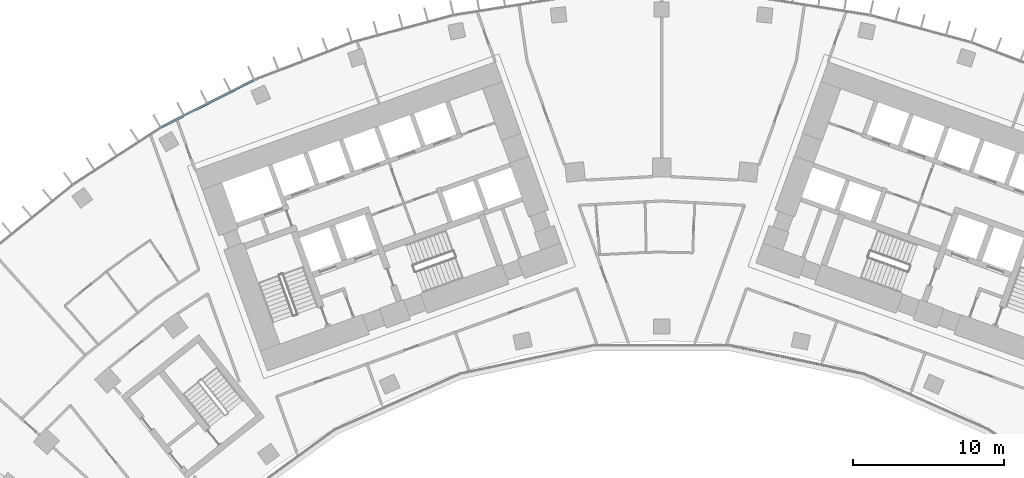
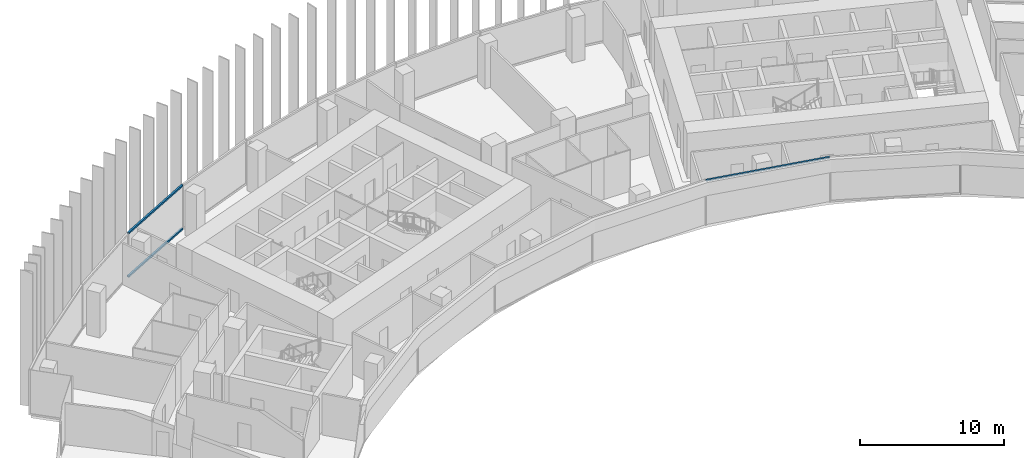
# One storey, part 6 of 23: 3 members, 2 elements without a shape of their own.
"""IFC4 building model written with IfcOpenShell, lengths in metres."""

from ifc_helpers import new_model, si_unit, direction, frame, origin, origin_2d, place, context, subcontext, project, spatial, rectangle, extrude, material, layer, layer_set, material_profile, profile_set, type_object, element, aggregate, save


model = new_model("IFC4")

# Units and contexts
model_context = context("Model", 3, precision=1e-05, world=origin(), true_north=direction((0.0, 1.0)))
body_context = subcontext(model_context, "Body", "Model", "MODEL_VIEW")
ifc_project = project(units=[si_unit("LENGTHUNIT", "METRE"), si_unit("AREAUNIT", "SQUARE_METRE"), si_unit("VOLUMEUNIT", "CUBIC_METRE"), si_unit("PLANEANGLEUNIT", "RADIAN"), si_unit("MASSUNIT", "GRAM", prefix="KILO")], contexts=[model_context])

# Site, building, storey
site_placement = place(None, origin())
site = spatial("IfcSite", under=ifc_project, at=site_placement, CompositionType="ELEMENT")
building_placement = place(site_placement, origin())
building = spatial("IfcBuilding", under=site, at=building_placement, Name="Stone Belt Terrace Tower", CompositionType="ELEMENT")
storey_placement = place(building_placement, frame((0.0, 0.0, 178.199951171875)))
storey = spatial("IfcBuildingStorey", under=building, at=storey_placement, Name="L43", CompositionType="ELEMENT", Elevation=178.199951171875)

# Curtain wall, members
ifc_material = material(Name="Aluminium 6063-T6 anodised frame", Category="aluminium")
ifc_layer_1 = layer(ifc_material, 0.14990234375)
ifc_layer_set_1 = layer_set([ifc_layer_1], Name="CW-A unitised convex-face curtain wall")
curtain_wall_type_1 = type_object("IfcCurtainWallType", Name="CW-A unitised convex-face curtain wall", PredefinedType="NOTDEFINED", material=ifc_layer_set_1)
curtain_wall_1_placement = place(storey_placement, origin())
curtain_wall_1 = element("IfcCurtainWall", 1, at=curtain_wall_1_placement, inside=storey, type_object=curtain_wall_type_1, Name="CW-A convex face L43", PredefinedType="NOTDEFINED")
ifc_material_profile_1 = material_profile(ifc_material, rectangle(XDim=0.14990234375, YDim=0.139892578125, at=origin_2d()), Name="Aluminium 6063-T6 150x140")
ifc_profile_set_1 = profile_set([ifc_material_profile_1], Name="Aluminium 6063-T6 anodised frame")
member_type_1 = type_object("IfcMemberType", Name="CW-A transom 140 x 150", PredefinedType="USERDEFINED", material=ifc_profile_set_1)
member_1_placement = place(storey_placement, frame((-27.108642578125, 60.803955078125, 0.070068359375), z_axis=(-0.891012226264, -0.453979308613, 0.0), x_axis=(0.453979308613, -0.891012226264, 0.0)))
member_1 = element("IfcMember", 2, at=member_1_placement, type_object=member_type_1, Name="CW-A transom 12.1", ObjectType="TRANSOM", PredefinedType="USERDEFINED", context=body_context, shape_type="SweptSolid", body=[
    extrude(rectangle(XDim=0.14990234375, YDim=0.139892578125, at=origin_2d()), origin(), (0.0, 0.0, 1.0), 6.90087890625),
])
member_2_placement = place(storey_placement, frame((-27.108642578125, 60.803955078125, 3.72998046875), z_axis=(-0.891012226264, -0.453979308613, 0.0), x_axis=(0.453979308613, -0.891012226264, 0.0)))
member_2 = element("IfcMember", 3, at=member_2_placement, type_object=member_type_1, Name="CW-A transom 12.2", ObjectType="TRANSOM", PredefinedType="USERDEFINED", context=body_context, shape_type="SweptSolid", body=[
    extrude(rectangle(XDim=0.14990234375, YDim=0.139892578125, at=origin_2d()), origin(), (0.0, 0.0, 1.0), 6.90087890625),
])
aggregate(curtain_wall_1, [member_1, member_2])

# Curtain wall, member
ifc_layer_2 = layer(ifc_material, 0.14990234375)
ifc_layer_set_2 = layer_set([ifc_layer_2], Name="CW-B unitised concave-face curtain wall")
curtain_wall_type_2 = type_object("IfcCurtainWallType", Name="CW-B unitised concave-face curtain wall", PredefinedType="NOTDEFINED", material=ifc_layer_set_2)
curtain_wall_2_placement = place(storey_placement, origin())
curtain_wall_2 = element("IfcCurtainWall", 4, at=curtain_wall_2_placement, inside=storey, type_object=curtain_wall_type_2, Name="CW-B concave face L43", PredefinedType="NOTDEFINED")
ifc_material_profile_2 = material_profile(ifc_material, rectangle(XDim=0.14990234375, YDim=0.1201171875, at=origin_2d()), Name="Aluminium 6063-T6 150x120")
ifc_profile_set_2 = profile_set([ifc_material_profile_2], Name="Aluminium 6063-T6 anodised frame")
member_type_2 = type_object("IfcMemberType", Name="CW-B transom 120 x 150", PredefinedType="USERDEFINED", material=ifc_profile_set_2)
member_3_placement = place(storey_placement, frame((4.571044921875, 43.179931640625, 3.739990234375), z_axis=(0.9781499003, -0.207900871914, 0.0), x_axis=(0.207900871914, 0.9781499003, 0.0)))
member_3 = element("IfcMember", 5, at=member_3_placement, type_object=member_type_2, Name="CW-B transom 6.1", ObjectType="TRANSOM", PredefinedType="USERDEFINED", context=body_context, shape_type="SweptSolid", body=[
    extrude(rectangle(XDim=0.14990234375, YDim=0.1201171875, at=origin_2d()), origin(), (0.0, 0.0, 1.0), 9.012939453125),
])
aggregate(curtain_wall_2, [member_3])

save(model, "model.ifc")
